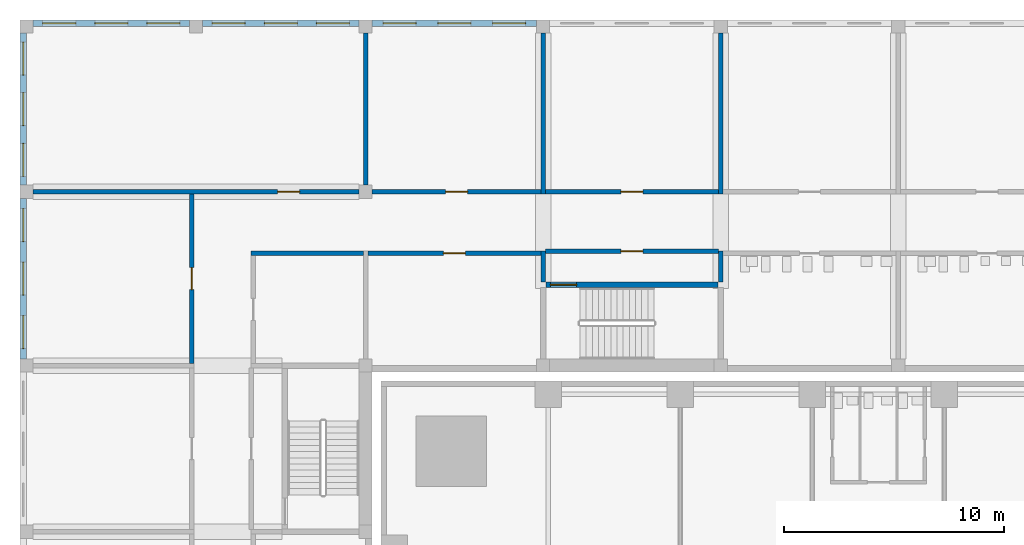
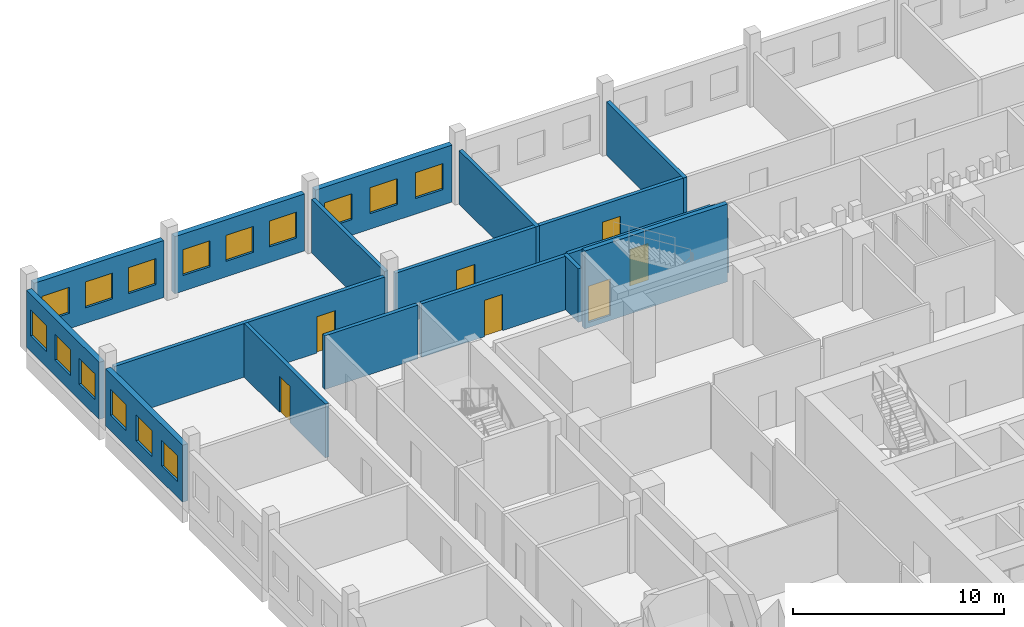
# One storey, part 16 of 25: 18 walls, 15 windows, 7 doors, 22 openings.
"""IFC4 building model written with IfcOpenShell, lengths in metres."""

import ifcopenshell
import ifcopenshell.guid

model = None  # the IFC model being written
_history = None  # IfcOwnerHistory: only IFC2X3 demands one
_inside = {}  # id of a spatial element -> (the spatial element, [elements in it])
_under = {}  # id of a project, library or spatial element -> (it, [spatial elements below it])
_declared = {}  # id of a project -> (the project, [libraries it declares])
_typed = {}  # id of a type object -> (the type object, [elements of that type])
_made_of = {}  # id of a material, layer set ... -> (it, [elements and type objects made of it])


def new_model(schema):
    """Start an empty IFC model of exactly this schema.

    Asked for "IFC4X3", IfcOpenShell would pick the latest addendum, in which some entities
    have other attributes; the version numbers below select the first issue.
    IFC2X3 requires an IfcOwnerHistory on every rooted entity: one is made here for all.
    """
    global model, _history
    if schema == "IFC4X3":
        model = ifcopenshell.file(schema_version=(4, 3, 0, 0))
    else:
        model = ifcopenshell.file(schema=schema)
    _inside.clear()
    _under.clear()
    _declared.clear()
    _typed.clear()
    _made_of.clear()
    _history = None
    if model.schema == "IFC2X3":
        org = make("IfcOrganization", Name="unknown")
        user = make(
            "IfcPersonAndOrganization",
            ThePerson=make("IfcPerson", FamilyName="unknown"),
            TheOrganization=org,
        )
        app = make(
            "IfcApplication",
            ApplicationDeveloper=org,
            Version="unknown",
            ApplicationFullName="unknown",
            ApplicationIdentifier="unknown",
        )
        _history = make(
            "IfcOwnerHistory",
            OwningUser=user,
            OwningApplication=app,
            ChangeAction="ADDED",
            CreationDate=0,
        )
    return model


def make(cls, **values):
    """One entity of the class cls with the attributes given. An attribute that is None is left unset."""
    return model.create_entity(
        cls, **{name: value for name, value in values.items() if value is not None}
    )


def rooted(cls, **values):
    """An entity with a GlobalId (a new one), such as an element, a storey or a relation."""
    return make(cls, GlobalId=ifcopenshell.guid.new(), OwnerHistory=_history, **values)


def si_unit(unit_type, name, prefix=None):
    """IfcSIUnit, for example si_unit("LENGTHUNIT", "METRE", prefix="MILLI")."""
    return make("IfcSIUnit", UnitType=unit_type, Prefix=prefix, Name=name)


def assignment(units):
    """IfcUnitAssignment: the units of a project."""
    return None if units is None else make("IfcUnitAssignment", Units=units)


def point(xyz):
    """IfcCartesianPoint."""
    return None if xyz is None else make("IfcCartesianPoint", Coordinates=xyz)


def direction(xyz):
    """IfcDirection."""
    return None if xyz is None else make("IfcDirection", DirectionRatios=xyz)


def frame(location, z_axis=None, x_axis=None):
    """IfcAxis2Placement3D, a coordinate frame: its origin and axes. An axis left out is left unset."""
    return make(
        "IfcAxis2Placement3D",
        Location=point(location),
        Axis=direction(z_axis),
        RefDirection=direction(x_axis),
    )


def frame_2d(location, x_axis=None):
    """IfcAxis2Placement2D, a coordinate frame in the plane: its origin and x axis."""
    return make(
        "IfcAxis2Placement2D", Location=point(location), RefDirection=direction(x_axis)
    )


def origin():
    """The frame at (0, 0, 0) with its axes left unset."""
    return frame((0.0, 0.0, 0.0))


def place(relative_to, where):
    """IfcLocalPlacement: puts the frame where relative to a parent placement (None: the world)."""
    return make(
        "IfcLocalPlacement", PlacementRelTo=relative_to, RelativePlacement=where
    )


def context(
    kind, dimensions, precision=None, world=None, true_north=None, identifier=None
):
    """IfcGeometricRepresentationContext, for example the 3D "Model" context."""
    return make(
        "IfcGeometricRepresentationContext",
        ContextIdentifier=identifier,
        ContextType=kind,
        CoordinateSpaceDimension=dimensions,
        Precision=precision,
        WorldCoordinateSystem=world,
        TrueNorth=true_north,
    )


def subcontext(parent, identifier, kind, view, scale=None):
    """IfcGeometricRepresentationSubContext, for example "Body" below "Model"."""
    return make(
        "IfcGeometricRepresentationSubContext",
        ContextIdentifier=identifier,
        ContextType=kind,
        ParentContext=parent,
        TargetScale=scale,
        TargetView=view,
    )


def project(units=None, contexts=None):
    """IfcProject with its units and contexts."""
    return rooted(
        "IfcProject",
        Name="project",
        RepresentationContexts=contexts,
        UnitsInContext=assignment(units),
    )


def spatial(cls, under=None, at=None, **own):
    """A site, building, storey or space (cls), placed at a placement, below another one or the project."""
    s = rooted(cls, ObjectPlacement=at, **own)
    if under is not None:
        _under.setdefault(under.id(), (under, []))[1].append(s)
    return s


def profile(cls, at=None, kind="AREA", **sizes):
    """A parametric profile (cls). Its sizes go by their IFC names, for example OverallWidth=200.0."""
    return make(cls, ProfileType=kind, Position=at, **sizes)


def rectangle(**sizes):
    """IfcRectangleProfileDef."""
    return profile("IfcRectangleProfileDef", **sizes)


def extrude(swept, where, along, depth):
    """IfcExtrudedAreaSolid: the profile swept, set in the frame where, extruded along a direction by depth."""
    return make(
        "IfcExtrudedAreaSolid",
        SweptArea=swept,
        Position=where,
        ExtrudedDirection=direction(along),
        Depth=depth,
    )


def shape(context_of_items, identifier, shape_type, items):
    """IfcShapeRepresentation: the items that make up one representation, for example the "Body"."""
    return make(
        "IfcShapeRepresentation",
        ContextOfItems=context_of_items,
        RepresentationIdentifier=identifier,
        RepresentationType=shape_type,
        Items=items,
    )


def material(Name=None, Category=None):
    """IfcMaterial."""
    return make("IfcMaterial", Name=Name, Category=Category)


def layer(
    of_material, thickness, ventilated=None, Name=None, Category=None, Priority=None
):
    """IfcMaterialLayer: one layer of a wall or slab, of a material (None: an air gap)."""
    return make(
        "IfcMaterialLayer",
        Material=of_material,
        LayerThickness=thickness,
        IsVentilated=ventilated,
        Name=Name,
        Category=Category,
        Priority=Priority,
    )


def layer_set(layers, Name=None):
    """IfcMaterialLayerSet."""
    return make("IfcMaterialLayerSet", MaterialLayers=layers, LayerSetName=Name)


def made_of(thing, what):
    """Note that an element or type object is made of a material, layer set ...; save() writes the relation."""
    if what is not None:
        _made_of.setdefault(what.id(), (what, []))[1].append(thing)
    return thing


def type_object(cls, material=None, **own):
    """A type object (cls), such as IfcWallType, which elements share."""
    return made_of(rooted(cls, **own), material)


def element(
    cls,
    number,
    at=None,
    inside=None,
    cuts=None,
    type_object=None,
    material=None,
    context=None,
    identifier="Body",
    shape_type=None,
    held_by="IfcProductDefinitionShape",
    body=None,
    shapes=None,
    **own,
):
    """One element of the class cls, such as IfcWall. Its Tag is "e" and its number.

    at: its placement. inside: the storey or other place that contains it. cuts: it is an
    opening in that element (IfcRelVoidsElement). A single representation is given by context,
    identifier, shape_type and body (its items); several are given by shapes. held_by: the class
    of the entity that holds the representations. save() writes the other relations.
    """
    e = rooted(cls, Tag="e%d" % number, ObjectPlacement=at, **own)
    if body is not None:
        shapes = [shape(context, identifier, shape_type, body)]
    if shapes is not None:
        e.Representation = make(held_by, Representations=shapes)
    if inside is not None:
        _inside.setdefault(inside.id(), (inside, []))[1].append(e)
    if cuts is not None:
        rooted(
            "IfcRelVoidsElement", RelatingBuildingElement=cuts, RelatedOpeningElement=e
        )
    if type_object is not None:
        _typed.setdefault(type_object.id(), (type_object, []))[1].append(e)
    return made_of(e, material)


def fill(opening, filler):
    """IfcRelFillsElement: the door or window that sits in an opening."""
    return rooted(
        "IfcRelFillsElement",
        RelatingOpeningElement=opening,
        RelatedBuildingElement=filler,
    )


def aggregate(whole, parts):
    """IfcRelAggregates: a whole, such as a stair, and the parts it consists of."""
    return rooted("IfcRelAggregates", RelatingObject=whole, RelatedObjects=parts)


def save(model, path):
    """Write the relations noted so far, then the file.

    IfcRelAggregates (storeys below a building ...), IfcRelContainedInSpatialStructure (elements
    in a storey), IfcRelDefinesByType, IfcRelAssociatesMaterial and IfcRelDeclares: one each for
    every whole, place, type object, material and project.
    """
    for whole, parts in _under.values():
        aggregate(whole, parts)
    for where, things in _inside.values():
        rooted(
            "IfcRelContainedInSpatialStructure",
            RelatedElements=things,
            RelatingStructure=where,
        )
    for kind, things in _typed.values():
        rooted("IfcRelDefinesByType", RelatedObjects=things, RelatingType=kind)
    for what, things in _made_of.values():
        rooted("IfcRelAssociatesMaterial", RelatedObjects=things, RelatingMaterial=what)
    for by, libraries in _declared.values():
        rooted("IfcRelDeclares", RelatingContext=by, RelatedDefinitions=libraries)
    model.write(path)


model = new_model("IFC4")

# Units and contexts
model_context = context("Model", 3, precision=1e-05, world=origin(), true_north=direction((0.0, 1.0)))
body_context = subcontext(model_context, "Body", "Model", "MODEL_VIEW")
ifc_project = project(units=[si_unit("LENGTHUNIT", "METRE"), si_unit("AREAUNIT", "SQUARE_METRE"), si_unit("VOLUMEUNIT", "CUBIC_METRE"), si_unit("PLANEANGLEUNIT", "RADIAN"), si_unit("MASSUNIT", "GRAM", prefix="KILO")], contexts=[model_context])

# Site, building, storey
site_placement = place(None, origin())
site = spatial("IfcSite", under=ifc_project, at=site_placement, CompositionType="ELEMENT")
building_placement = place(site_placement, origin())
building = spatial("IfcBuilding", under=site, at=building_placement, Name="Amberfall Residences", CompositionType="ELEMENT")
storey_placement = place(building_placement, frame((0.0, 0.0, 10.0)))
storey = spatial("IfcBuildingStorey", under=building, at=storey_placement, Name="L02", CompositionType="ELEMENT", Elevation=10.0)

# Wall, openings, windows
ifc_material_1 = material(Name="Aerated block wall")
ifc_layer_1 = layer(ifc_material_1, 0.300048828125)
ifc_layer_set_1 = layer_set([ifc_layer_1], Name="School external wall 300")
wall_type_1 = type_object("IfcWallType", Name="School external wall 300", PredefinedType="SOLIDWALL", material=ifc_layer_set_1)
wall_1_placement = place(storey_placement, frame((35.75, 69.0, 0.0), z_axis=(0.0, 0.0, 1.0), x_axis=(0.0, 1.0, 0.0)))
wall_1 = element("IfcWall", 1, at=wall_1_placement, inside=storey, type_object=wall_type_1, Name="School external wall L02 EW8", PredefinedType="SOLIDWALL", context=body_context, shape_type="SweptSolid", body=[
    extrude(rectangle(XDim=7.300048828125, YDim=0.300048828125, at=frame_2d((3.64990234375, 0.0))), origin(), (0.0, 0.0, 1.0), 3.300048828125),
])
opening_1_placement = place(wall_1_placement, frame((0.466796875, 0.0, 0.89990234375)))
opening_1 = element("IfcOpeningElement", 2, at=opening_1_placement, cuts=wall_1, Name="Opening SWN1", PredefinedType="OPENING", context=body_context, shape_type="SweptSolid", body=[
    extrude(rectangle(XDim=1.5, YDim=1.5, at=frame_2d((0.75, 0.75))), frame((0.0, 0.159912109375, 0.0), z_axis=(0.0, -1.0, 0.0), x_axis=(1.0, 0.0, 0.0)), (0.0, 0.0, 1.0), 0.320068359375),
])
opening_2_placement = place(wall_1_placement, frame((2.89990234375, 0.0, 0.89990234375)))
opening_2 = element("IfcOpeningElement", 3, at=opening_2_placement, cuts=wall_1, Name="Opening SWN1", PredefinedType="OPENING", context=body_context, shape_type="SweptSolid", body=[
    extrude(rectangle(XDim=1.5, YDim=1.5, at=frame_2d((0.75, 0.75))), frame((0.0, 0.159912109375, 0.0), z_axis=(0.0, -1.0, 0.0), x_axis=(1.0, 0.0, 0.0)), (0.0, 0.0, 1.0), 0.320068359375),
])
opening_3_placement = place(wall_1_placement, frame((5.333251953125, 0.0, 0.89990234375)))
opening_3 = element("IfcOpeningElement", 4, at=opening_3_placement, cuts=wall_1, Name="Opening SWN1", PredefinedType="OPENING", context=body_context, shape_type="SweptSolid", body=[
    extrude(rectangle(XDim=1.5, YDim=1.5, at=frame_2d((0.75, 0.75))), frame((0.0, 0.159912109375, 0.0), z_axis=(0.0, -1.0, 0.0), x_axis=(1.0, 0.0, 0.0)), (0.0, 0.0, 1.0), 0.320068359375),
])
ifc_material_2 = material(Name="Aluminium window", Category="aluminium")
window_type = type_object("IfcWindowType", Name="School window 1500 x 1500", PartitioningType="DOUBLE_PANEL_HORIZONTAL", PredefinedType="WINDOW", material=ifc_material_2)
window_1_placement = place(opening_1_placement, origin())
window_1 = element("IfcWindow", 5, at=window_1_placement, inside=storey, type_object=window_type, Name="School window L02 EW8-1", OverallHeight=1.5, OverallWidth=1.5, PartitioningType="DOUBLE_PANEL_HORIZONTAL", PredefinedType="WINDOW", context=body_context, shape_type="SweptSolid", body=[
    extrude(rectangle(XDim=1.5, YDim=1.5, at=frame_2d((0.75, 0.75))), frame((0.0, 0.030029296875, 0.0), z_axis=(0.0, -1.0, 0.0), x_axis=(1.0, 0.0, 0.0)), (0.0, 0.0, 1.0), 0.06005859375),
])
fill(opening_1, window_1)
window_2_placement = place(opening_2_placement, origin())
window_2 = element("IfcWindow", 6, at=window_2_placement, inside=storey, type_object=window_type, Name="School window L02 EW8-2", OverallHeight=1.5, OverallWidth=1.5, PartitioningType="DOUBLE_PANEL_HORIZONTAL", PredefinedType="WINDOW", context=body_context, shape_type="SweptSolid", body=[
    extrude(rectangle(XDim=1.5, YDim=1.5, at=frame_2d((0.75, 0.75))), frame((0.0, 0.030029296875, 0.0), z_axis=(0.0, -1.0, 0.0), x_axis=(1.0, 0.0, 0.0)), (0.0, 0.0, 1.0), 0.06005859375),
])
fill(opening_2, window_2)
window_3_placement = place(opening_3_placement, origin())
window_3 = element("IfcWindow", 7, at=window_3_placement, inside=storey, type_object=window_type, Name="School window L02 EW8-3", OverallHeight=1.5, OverallWidth=1.5, PartitioningType="DOUBLE_PANEL_HORIZONTAL", PredefinedType="WINDOW", context=body_context, shape_type="SweptSolid", body=[
    extrude(rectangle(XDim=1.5, YDim=1.5, at=frame_2d((0.75, 0.75))), frame((0.0, 0.030029296875, 0.0), z_axis=(0.0, -1.0, 0.0), x_axis=(1.0, 0.0, 0.0)), (0.0, 0.0, 1.0), 0.06005859375),
])
fill(opening_3, window_3)

wall_2_placement = place(storey_placement, frame((35.75, 76.89990234375, 0.0), z_axis=(0.0, 0.0, 1.0), x_axis=(0.0, 1.0, 0.0)))
wall_2 = element("IfcWall", 8, at=wall_2_placement, inside=storey, type_object=wall_type_1, Name="School external wall L02 EW9", PredefinedType="SOLIDWALL", context=body_context, shape_type="SweptSolid", body=[
    extrude(rectangle(XDim=6.900146484375, YDim=0.300048828125, at=frame_2d((3.4501953125, 0.0))), origin(), (0.0, 0.0, 1.0), 3.300048828125),
])
opening_4_placement = place(wall_2_placement, frame((0.39990234375, 0.0, 0.89990234375)))
opening_4 = element("IfcOpeningElement", 9, at=opening_4_placement, cuts=wall_2, Name="Opening SWN1", PredefinedType="OPENING", context=body_context, shape_type="SweptSolid", body=[
    extrude(rectangle(XDim=1.5, YDim=1.5, at=frame_2d((0.75, 0.75))), frame((0.0, 0.159912109375, 0.0), z_axis=(0.0, -1.0, 0.0), x_axis=(1.0, 0.0, 0.0)), (0.0, 0.0, 1.0), 0.320068359375),
])
opening_5_placement = place(wall_2_placement, frame((2.699951171875, 0.0, 0.89990234375)))
opening_5 = element("IfcOpeningElement", 10, at=opening_5_placement, cuts=wall_2, Name="Opening SWN1", PredefinedType="OPENING", context=body_context, shape_type="SweptSolid", body=[
    extrude(rectangle(XDim=1.5, YDim=1.5, at=frame_2d((0.75, 0.75))), frame((0.0, 0.159912109375, 0.0), z_axis=(0.0, -1.0, 0.0), x_axis=(1.0, 0.0, 0.0)), (0.0, 0.0, 1.0), 0.320068359375),
])
opening_6_placement = place(wall_2_placement, frame((5.0, 0.0, 0.89990234375)))
opening_6 = element("IfcOpeningElement", 11, at=opening_6_placement, cuts=wall_2, Name="Opening SWN1", PredefinedType="OPENING", context=body_context, shape_type="SweptSolid", body=[
    extrude(rectangle(XDim=1.5, YDim=1.5, at=frame_2d((0.75, 0.75))), frame((0.0, 0.159912109375, 0.0), z_axis=(0.0, -1.0, 0.0), x_axis=(1.0, 0.0, 0.0)), (0.0, 0.0, 1.0), 0.320068359375),
])
window_4_placement = place(opening_4_placement, origin())
window_4 = element("IfcWindow", 12, at=window_4_placement, inside=storey, type_object=window_type, Name="School window L02 EW9-1", OverallHeight=1.5, OverallWidth=1.5, PartitioningType="DOUBLE_PANEL_HORIZONTAL", PredefinedType="WINDOW", context=body_context, shape_type="SweptSolid", body=[
    extrude(rectangle(XDim=1.5, YDim=1.5, at=frame_2d((0.75, 0.75))), frame((0.0, 0.030029296875, 0.0), z_axis=(0.0, -1.0, 0.0), x_axis=(1.0, 0.0, 0.0)), (0.0, 0.0, 1.0), 0.06005859375),
])
fill(opening_4, window_4)
window_5_placement = place(opening_5_placement, origin())
window_5 = element("IfcWindow", 13, at=window_5_placement, inside=storey, type_object=window_type, Name="School window L02 EW9-2", OverallHeight=1.5, OverallWidth=1.5, PartitioningType="DOUBLE_PANEL_HORIZONTAL", PredefinedType="WINDOW", context=body_context, shape_type="SweptSolid", body=[
    extrude(rectangle(XDim=1.5, YDim=1.5, at=frame_2d((0.75, 0.75))), frame((0.0, 0.030029296875, 0.0), z_axis=(0.0, -1.0, 0.0), x_axis=(1.0, 0.0, 0.0)), (0.0, 0.0, 1.0), 0.06005859375),
])
fill(opening_5, window_5)
window_6_placement = place(opening_6_placement, origin())
window_6 = element("IfcWindow", 14, at=window_6_placement, inside=storey, type_object=window_type, Name="School window L02 EW9-3", OverallHeight=1.5, OverallWidth=1.5, PartitioningType="DOUBLE_PANEL_HORIZONTAL", PredefinedType="WINDOW", context=body_context, shape_type="SweptSolid", body=[
    extrude(rectangle(XDim=1.5, YDim=1.5, at=frame_2d((0.75, 0.75))), frame((0.0, 0.030029296875, 0.0), z_axis=(0.0, -1.0, 0.0), x_axis=(1.0, 0.0, 0.0)), (0.0, 0.0, 1.0), 0.06005859375),
])
fill(opening_6, window_6)

wall_3_placement = place(storey_placement, frame((36.199951171875, 84.25, 0.0), z_axis=(0.0, 0.0, 1.0), x_axis=(1.0, 0.0, 0.0)))
wall_3 = element("IfcWall", 15, at=wall_3_placement, inside=storey, type_object=wall_type_1, Name="School external wall L02 EN0", PredefinedType="SOLIDWALL", context=body_context, shape_type="SweptSolid", body=[
    extrude(rectangle(XDim=7.10009765625, YDim=0.300048828125, at=frame_2d((3.550048828125, 0.0))), origin(), (0.0, 0.0, 1.0), 3.300048828125),
])
opening_7_placement = place(wall_3_placement, frame((0.433349609375, 0.0, 0.89990234375)))
opening_7 = element("IfcOpeningElement", 16, at=opening_7_placement, cuts=wall_3, Name="Opening SWN1", PredefinedType="OPENING", context=body_context, shape_type="SweptSolid", body=[
    extrude(rectangle(XDim=1.5, YDim=1.5, at=frame_2d((0.75, 0.75))), frame((0.0, 0.159912109375, 0.0), z_axis=(0.0, -1.0, 0.0), x_axis=(1.0, 0.0, 0.0)), (0.0, 0.0, 1.0), 0.320068359375),
])
opening_8_placement = place(wall_3_placement, frame((2.800048828125, 0.0, 0.89990234375)))
opening_8 = element("IfcOpeningElement", 17, at=opening_8_placement, cuts=wall_3, Name="Opening SWN1", PredefinedType="OPENING", context=body_context, shape_type="SweptSolid", body=[
    extrude(rectangle(XDim=1.5, YDim=1.5, at=frame_2d((0.75, 0.75))), frame((0.0, 0.159912109375, 0.0), z_axis=(0.0, -1.0, 0.0), x_axis=(1.0, 0.0, 0.0)), (0.0, 0.0, 1.0), 0.320068359375),
])
opening_9_placement = place(wall_3_placement, frame((5.166748046875, 0.0, 0.89990234375)))
opening_9 = element("IfcOpeningElement", 18, at=opening_9_placement, cuts=wall_3, Name="Opening SWN1", PredefinedType="OPENING", context=body_context, shape_type="SweptSolid", body=[
    extrude(rectangle(XDim=1.5, YDim=1.5, at=frame_2d((0.75, 0.75))), frame((0.0, 0.159912109375, 0.0), z_axis=(0.0, -1.0, 0.0), x_axis=(1.0, 0.0, 0.0)), (0.0, 0.0, 1.0), 0.320068359375),
])
window_7_placement = place(opening_7_placement, origin())
window_7 = element("IfcWindow", 19, at=window_7_placement, inside=storey, type_object=window_type, Name="School window L02 EN0-1", OverallHeight=1.5, OverallWidth=1.5, PartitioningType="DOUBLE_PANEL_HORIZONTAL", PredefinedType="WINDOW", context=body_context, shape_type="SweptSolid", body=[
    extrude(rectangle(XDim=1.5, YDim=1.5, at=frame_2d((0.75, 0.75))), frame((0.0, 0.030029296875, 0.0), z_axis=(0.0, -1.0, 0.0), x_axis=(1.0, 0.0, 0.0)), (0.0, 0.0, 1.0), 0.06005859375),
])
fill(opening_7, window_7)
window_8_placement = place(opening_8_placement, origin())
window_8 = element("IfcWindow", 20, at=window_8_placement, inside=storey, type_object=window_type, Name="School window L02 EN0-2", OverallHeight=1.5, OverallWidth=1.5, PartitioningType="DOUBLE_PANEL_HORIZONTAL", PredefinedType="WINDOW", context=body_context, shape_type="SweptSolid", body=[
    extrude(rectangle(XDim=1.5, YDim=1.5, at=frame_2d((0.75, 0.75))), frame((0.0, 0.030029296875, 0.0), z_axis=(0.0, -1.0, 0.0), x_axis=(1.0, 0.0, 0.0)), (0.0, 0.0, 1.0), 0.06005859375),
])
fill(opening_8, window_8)
window_9_placement = place(opening_9_placement, origin())
window_9 = element("IfcWindow", 21, at=window_9_placement, inside=storey, type_object=window_type, Name="School window L02 EN0-3", OverallHeight=1.5, OverallWidth=1.5, PartitioningType="DOUBLE_PANEL_HORIZONTAL", PredefinedType="WINDOW", context=body_context, shape_type="SweptSolid", body=[
    extrude(rectangle(XDim=1.5, YDim=1.5, at=frame_2d((0.75, 0.75))), frame((0.0, 0.030029296875, 0.0), z_axis=(0.0, -1.0, 0.0), x_axis=(1.0, 0.0, 0.0)), (0.0, 0.0, 1.0), 0.06005859375),
])
fill(opening_9, window_9)

wall_4_placement = place(storey_placement, frame((43.89990234375, 84.25, 0.0), z_axis=(0.0, 0.0, 1.0), x_axis=(1.0, 0.0, 0.0)))
wall_4 = element("IfcWall", 22, at=wall_4_placement, inside=storey, type_object=wall_type_1, Name="School external wall L02 EN1", PredefinedType="SOLIDWALL", context=body_context, shape_type="SweptSolid", body=[
    extrude(rectangle(XDim=7.10009765625, YDim=0.300048828125, at=frame_2d((3.550048828125, 0.0))), origin(), (0.0, 0.0, 1.0), 3.300048828125),
])
opening_10_placement = place(wall_4_placement, frame((0.433349609375, 0.0, 0.89990234375)))
opening_10 = element("IfcOpeningElement", 23, at=opening_10_placement, cuts=wall_4, Name="Opening SWN1", PredefinedType="OPENING", context=body_context, shape_type="SweptSolid", body=[
    extrude(rectangle(XDim=1.5, YDim=1.5, at=frame_2d((0.75, 0.75))), frame((0.0, 0.159912109375, 0.0), z_axis=(0.0, -1.0, 0.0), x_axis=(1.0, 0.0, 0.0)), (0.0, 0.0, 1.0), 0.320068359375),
])
opening_11_placement = place(wall_4_placement, frame((2.800048828125, 0.0, 0.89990234375)))
opening_11 = element("IfcOpeningElement", 24, at=opening_11_placement, cuts=wall_4, Name="Opening SWN1", PredefinedType="OPENING", context=body_context, shape_type="SweptSolid", body=[
    extrude(rectangle(XDim=1.5, YDim=1.5, at=frame_2d((0.75, 0.75))), frame((0.0, 0.159912109375, 0.0), z_axis=(0.0, -1.0, 0.0), x_axis=(1.0, 0.0, 0.0)), (0.0, 0.0, 1.0), 0.320068359375),
])
opening_12_placement = place(wall_4_placement, frame((5.166748046875, 0.0, 0.89990234375)))
opening_12 = element("IfcOpeningElement", 25, at=opening_12_placement, cuts=wall_4, Name="Opening SWN1", PredefinedType="OPENING", context=body_context, shape_type="SweptSolid", body=[
    extrude(rectangle(XDim=1.5, YDim=1.5, at=frame_2d((0.75, 0.75))), frame((0.0, 0.159912109375, 0.0), z_axis=(0.0, -1.0, 0.0), x_axis=(1.0, 0.0, 0.0)), (0.0, 0.0, 1.0), 0.320068359375),
])
window_10_placement = place(opening_10_placement, origin())
window_10 = element("IfcWindow", 26, at=window_10_placement, inside=storey, type_object=window_type, Name="School window L02 EN1-1", OverallHeight=1.5, OverallWidth=1.5, PartitioningType="DOUBLE_PANEL_HORIZONTAL", PredefinedType="WINDOW", context=body_context, shape_type="SweptSolid", body=[
    extrude(rectangle(XDim=1.5, YDim=1.5, at=frame_2d((0.75, 0.75))), frame((0.0, 0.030029296875, 0.0), z_axis=(0.0, -1.0, 0.0), x_axis=(1.0, 0.0, 0.0)), (0.0, 0.0, 1.0), 0.06005859375),
])
fill(opening_10, window_10)
window_11_placement = place(opening_11_placement, origin())
window_11 = element("IfcWindow", 27, at=window_11_placement, inside=storey, type_object=window_type, Name="School window L02 EN1-2", OverallHeight=1.5, OverallWidth=1.5, PartitioningType="DOUBLE_PANEL_HORIZONTAL", PredefinedType="WINDOW", context=body_context, shape_type="SweptSolid", body=[
    extrude(rectangle(XDim=1.5, YDim=1.5, at=frame_2d((0.75, 0.75))), frame((0.0, 0.030029296875, 0.0), z_axis=(0.0, -1.0, 0.0), x_axis=(1.0, 0.0, 0.0)), (0.0, 0.0, 1.0), 0.06005859375),
])
fill(opening_11, window_11)
window_12_placement = place(opening_12_placement, origin())
window_12 = element("IfcWindow", 28, at=window_12_placement, inside=storey, type_object=window_type, Name="School window L02 EN1-3", OverallHeight=1.5, OverallWidth=1.5, PartitioningType="DOUBLE_PANEL_HORIZONTAL", PredefinedType="WINDOW", context=body_context, shape_type="SweptSolid", body=[
    extrude(rectangle(XDim=1.5, YDim=1.5, at=frame_2d((0.75, 0.75))), frame((0.0, 0.030029296875, 0.0), z_axis=(0.0, -1.0, 0.0), x_axis=(1.0, 0.0, 0.0)), (0.0, 0.0, 1.0), 0.06005859375),
])
fill(opening_12, window_12)

wall_5_placement = place(storey_placement, frame((51.60009765625, 84.25, 0.0), z_axis=(0.0, 0.0, 1.0), x_axis=(1.0, 0.0, 0.0)))
wall_5 = element("IfcWall", 29, at=wall_5_placement, inside=storey, type_object=wall_type_1, Name="School external wall L02 EN2", PredefinedType="SOLIDWALL", context=body_context, shape_type="SweptSolid", body=[
    extrude(rectangle(XDim=7.466796875, YDim=0.300048828125, at=frame_2d((3.7333984375, 0.0))), origin(), (0.0, 0.0, 1.0), 3.300048828125),
])
opening_13_placement = place(wall_5_placement, frame((0.494384765625, 0.0, 0.89990234375)))
opening_13 = element("IfcOpeningElement", 30, at=opening_13_placement, cuts=wall_5, Name="Opening SWN1", PredefinedType="OPENING", context=body_context, shape_type="SweptSolid", body=[
    extrude(rectangle(XDim=1.5, YDim=1.5, at=frame_2d((0.75, 0.75))), frame((0.0, 0.159912109375, 0.0), z_axis=(0.0, -1.0, 0.0), x_axis=(1.0, 0.0, 0.0)), (0.0, 0.0, 1.0), 0.320068359375),
])
opening_14_placement = place(wall_5_placement, frame((2.9833984375, 0.0, 0.89990234375)))
opening_14 = element("IfcOpeningElement", 31, at=opening_14_placement, cuts=wall_5, Name="Opening SWN1", PredefinedType="OPENING", context=body_context, shape_type="SweptSolid", body=[
    extrude(rectangle(XDim=1.5, YDim=1.5, at=frame_2d((0.75, 0.75))), frame((0.0, 0.159912109375, 0.0), z_axis=(0.0, -1.0, 0.0), x_axis=(1.0, 0.0, 0.0)), (0.0, 0.0, 1.0), 0.320068359375),
])
opening_15_placement = place(wall_5_placement, frame((5.472412109375, 0.0, 0.89990234375)))
opening_15 = element("IfcOpeningElement", 32, at=opening_15_placement, cuts=wall_5, Name="Opening SWN1", PredefinedType="OPENING", context=body_context, shape_type="SweptSolid", body=[
    extrude(rectangle(XDim=1.5, YDim=1.5, at=frame_2d((0.75, 0.75))), frame((0.0, 0.159912109375, 0.0), z_axis=(0.0, -1.0, 0.0), x_axis=(1.0, 0.0, 0.0)), (0.0, 0.0, 1.0), 0.320068359375),
])
window_13_placement = place(opening_13_placement, origin())
window_13 = element("IfcWindow", 33, at=window_13_placement, inside=storey, type_object=window_type, Name="School window L02 EN2-1", OverallHeight=1.5, OverallWidth=1.5, PartitioningType="DOUBLE_PANEL_HORIZONTAL", PredefinedType="WINDOW", context=body_context, shape_type="SweptSolid", body=[
    extrude(rectangle(XDim=1.5, YDim=1.5, at=frame_2d((0.75, 0.75))), frame((0.0, 0.030029296875, 0.0), z_axis=(0.0, -1.0, 0.0), x_axis=(1.0, 0.0, 0.0)), (0.0, 0.0, 1.0), 0.06005859375),
])
fill(opening_13, window_13)
window_14_placement = place(opening_14_placement, origin())
window_14 = element("IfcWindow", 34, at=window_14_placement, inside=storey, type_object=window_type, Name="School window L02 EN2-2", OverallHeight=1.5, OverallWidth=1.5, PartitioningType="DOUBLE_PANEL_HORIZONTAL", PredefinedType="WINDOW", context=body_context, shape_type="SweptSolid", body=[
    extrude(rectangle(XDim=1.5, YDim=1.5, at=frame_2d((0.75, 0.75))), frame((0.0, 0.030029296875, 0.0), z_axis=(0.0, -1.0, 0.0), x_axis=(1.0, 0.0, 0.0)), (0.0, 0.0, 1.0), 0.06005859375),
])
fill(opening_14, window_14)
window_15_placement = place(opening_15_placement, origin())
window_15 = element("IfcWindow", 35, at=window_15_placement, inside=storey, type_object=window_type, Name="School window L02 EN2-3", OverallHeight=1.5, OverallWidth=1.5, PartitioningType="DOUBLE_PANEL_HORIZONTAL", PredefinedType="WINDOW", context=body_context, shape_type="SweptSolid", body=[
    extrude(rectangle(XDim=1.5, YDim=1.5, at=frame_2d((0.75, 0.75))), frame((0.0, 0.030029296875, 0.0), z_axis=(0.0, -1.0, 0.0), x_axis=(1.0, 0.0, 0.0)), (0.0, 0.0, 1.0), 0.06005859375),
])
fill(opening_15, window_15)

# Wall, opening, door
ifc_layer_2 = layer(ifc_material_1, 0.199951171875)
ifc_layer_set_2 = layer_set([ifc_layer_2], Name="School partition 200")
wall_type_2 = type_object("IfcWallType", Name="School partition 200", PredefinedType="PARTITIONING", material=ifc_layer_set_2)
wall_6_placement = place(storey_placement, frame((43.39990234375, 68.800048828125, 0.0), z_axis=(0.0, 0.0, 1.0), x_axis=(0.0, 1.0, 0.0)))
wall_6 = element("IfcWall", 36, at=wall_6_placement, inside=storey, type_object=wall_type_2, Name="School partition L02 CWW8", PredefinedType="PARTITIONING", context=body_context, shape_type="SweptSolid", body=[
    extrude(rectangle(XDim=7.699951171875, YDim=0.199951171875, at=frame_2d((3.85009765625, 0.0))), origin(), (0.0, 0.0, 1.0), 3.10009765625),
])
opening_16_placement = place(wall_6_placement, frame((3.35009765625, 0.0, 0.0)))
opening_16 = element("IfcOpeningElement", 37, at=opening_16_placement, cuts=wall_6, Name="Opening SD5", PredefinedType="OPENING", context=body_context, shape_type="SweptSolid", body=[
    extrude(rectangle(XDim=1.0, YDim=2.10009765625, at=frame_2d((0.5, 1.050048828125))), frame((0.0, 0.10986328125, 0.0), z_axis=(0.0, -1.0, 0.0), x_axis=(1.0, 0.0, 0.0)), (0.0, 0.0, 1.0), 0.219970703125),
])
ifc_material_3 = material(Name="Timber door", Category="wood")
door_type_1 = type_object("IfcDoorType", Name="School classroom door 1000 x 2100", OperationType="SINGLE_SWING_LEFT", PredefinedType="DOOR", material=ifc_material_3)
door_1_placement = place(opening_16_placement, origin())
door_1 = element("IfcDoor", 38, at=door_1_placement, inside=storey, type_object=door_type_1, Name="School door L02 CWW8-1", OperationType="SINGLE_SWING_LEFT", OverallHeight=2.10009765625, OverallWidth=1.0, PredefinedType="DOOR", context=body_context, shape_type="SweptSolid", body=[
    extrude(rectangle(XDim=1.0, YDim=2.10009765625, at=frame_2d((0.5, 1.050048828125))), frame((0.0, 0.02490234375, 0.0), z_axis=(0.0, -1.0, 0.0), x_axis=(1.0, 0.0, 0.0)), (0.0, 0.0, 1.0), 0.050048828125),
])
fill(opening_16, door_1)

wall_7_placement = place(storey_placement, frame((36.199951171875, 76.60009765625, 0.0), z_axis=(0.0, 0.0, 1.0), x_axis=(1.0, 0.0, 0.0)))
wall_7 = element("IfcWall", 39, at=wall_7_placement, inside=storey, type_object=wall_type_2, Name="School partition L02 LIBS", PredefinedType="PARTITIONING", context=body_context, shape_type="SweptSolid", body=[
    extrude(rectangle(XDim=14.800048828125, YDim=0.199951171875, at=frame_2d((7.39990234375, 0.0))), origin(), (0.0, 0.0, 1.0), 3.10009765625),
])
opening_17_placement = place(wall_7_placement, frame((11.10009765625, 0.0, 0.0)))
opening_17 = element("IfcOpeningElement", 40, at=opening_17_placement, cuts=wall_7, Name="Opening SD5", PredefinedType="OPENING", context=body_context, shape_type="SweptSolid", body=[
    extrude(rectangle(XDim=1.0, YDim=2.10009765625, at=frame_2d((0.5, 1.050048828125))), frame((0.0, 0.10986328125, 0.0), z_axis=(0.0, -1.0, 0.0), x_axis=(1.0, 0.0, 0.0)), (0.0, 0.0, 1.0), 0.219970703125),
])
door_2_placement = place(opening_17_placement, origin())
door_2 = element("IfcDoor", 41, at=door_2_placement, inside=storey, type_object=door_type_1, Name="School door L02 LIBS-1", OperationType="SINGLE_SWING_LEFT", OverallHeight=2.10009765625, OverallWidth=1.0, PredefinedType="DOOR", context=body_context, shape_type="SweptSolid", body=[
    extrude(rectangle(XDim=1.0, YDim=2.10009765625, at=frame_2d((0.5, 1.050048828125))), frame((0.0, 0.02490234375, 0.0), z_axis=(0.0, -1.0, 0.0), x_axis=(1.0, 0.0, 0.0)), (0.0, 0.0, 1.0), 0.050048828125),
])
fill(opening_17, door_2)

# Wall
wall_8_placement = place(storey_placement, frame((51.300048828125, 76.89990234375, 0.0), z_axis=(0.0, 0.0, 1.0), x_axis=(0.0, 1.0, 0.0)))
element("IfcWall", 42, at=wall_8_placement, inside=storey, type_object=wall_type_2, Name="School partition L02 LIBE", PredefinedType="PARTITIONING", context=body_context, shape_type="SweptSolid", body=[
    extrude(rectangle(XDim=6.900146484375, YDim=0.199951171875, at=frame_2d((3.4501953125, 0.0))), origin(), (0.0, 0.0, 1.0), 3.10009765625),
])

# Wall, opening, door
wall_9_placement = place(storey_placement, frame((51.60009765625, 76.60009765625, 0.0), z_axis=(0.0, 0.0, 1.0), x_axis=(1.0, 0.0, 0.0)))
wall_9 = element("IfcWall", 43, at=wall_9_placement, inside=storey, type_object=wall_type_2, Name="School partition L02 CWN052", PredefinedType="PARTITIONING", context=body_context, shape_type="SweptSolid", body=[
    extrude(rectangle(XDim=7.6669921875, YDim=0.199951171875, at=frame_2d((3.83349609375, 0.0))), origin(), (0.0, 0.0, 1.0), 3.10009765625),
])
opening_18_placement = place(wall_9_placement, frame((3.33349609375, 0.0, 0.0)))
opening_18 = element("IfcOpeningElement", 44, at=opening_18_placement, cuts=wall_9, Name="Opening SD5", PredefinedType="OPENING", context=body_context, shape_type="SweptSolid", body=[
    extrude(rectangle(XDim=1.0, YDim=2.10009765625, at=frame_2d((0.5, 1.050048828125))), frame((0.0, 0.10986328125, 0.0), z_axis=(0.0, -1.0, 0.0), x_axis=(1.0, 0.0, 0.0)), (0.0, 0.0, 1.0), 0.219970703125),
])
door_3_placement = place(opening_18_placement, origin())
door_3 = element("IfcDoor", 45, at=door_3_placement, inside=storey, type_object=door_type_1, Name="School door L02 CWN052-1", OperationType="SINGLE_SWING_LEFT", OverallHeight=2.10009765625, OverallWidth=1.0, PredefinedType="DOOR", context=body_context, shape_type="SweptSolid", body=[
    extrude(rectangle(XDim=1.0, YDim=2.10009765625, at=frame_2d((0.5, 1.050048828125))), frame((0.0, 0.02490234375, 0.0), z_axis=(0.0, -1.0, 0.0), x_axis=(1.0, 0.0, 0.0)), (0.0, 0.0, 1.0), 0.050048828125),
])
fill(opening_18, door_3)

wall_10_placement = place(storey_placement, frame((59.467041015625, 76.60009765625, 0.0), z_axis=(0.0, 0.0, 1.0), x_axis=(1.0, 0.0, 0.0)))
wall_10 = element("IfcWall", 46, at=wall_10_placement, inside=storey, type_object=wall_type_2, Name="School partition L02 CWN159", PredefinedType="PARTITIONING", context=body_context, shape_type="SweptSolid", body=[
    extrude(rectangle(XDim=7.865966796875, YDim=0.199951171875, at=frame_2d((3.93310546875, 0.0))), origin(), (0.0, 0.0, 1.0), 3.10009765625),
])
opening_19_placement = place(wall_10_placement, frame((3.43310546875, 0.0, 0.0)))
opening_19 = element("IfcOpeningElement", 47, at=opening_19_placement, cuts=wall_10, Name="Opening SD5", PredefinedType="OPENING", context=body_context, shape_type="SweptSolid", body=[
    extrude(rectangle(XDim=1.0, YDim=2.10009765625, at=frame_2d((0.5, 1.050048828125))), frame((0.0, 0.10986328125, 0.0), z_axis=(0.0, -1.0, 0.0), x_axis=(1.0, 0.0, 0.0)), (0.0, 0.0, 1.0), 0.219970703125),
])
door_4_placement = place(opening_19_placement, origin())
door_4 = element("IfcDoor", 48, at=door_4_placement, inside=storey, type_object=door_type_1, Name="School door L02 CWN159-1", OperationType="SINGLE_SWING_LEFT", OverallHeight=2.10009765625, OverallWidth=1.0, PredefinedType="DOOR", context=body_context, shape_type="SweptSolid", body=[
    extrude(rectangle(XDim=1.0, YDim=2.10009765625, at=frame_2d((0.5, 1.050048828125))), frame((0.0, 0.02490234375, 0.0), z_axis=(0.0, -1.0, 0.0), x_axis=(1.0, 0.0, 0.0)), (0.0, 0.0, 1.0), 0.050048828125),
])
fill(opening_19, door_4)

# Walls
for number, where, z_axis, x_axis, name in (
    (49, (59.366943359375, 76.5, 0.0), (0.0, 0.0, 1.0), (0.0, 1.0, 0.0), "School partition L02 PN5937"),
    (50, (67.43310546875, 76.5, 0.0), (0.0, 0.0, 1.0), (0.0, 1.0, 0.0), "School partition L02 PN6743"),
):
    element("IfcWall", number, at=place(storey_placement, frame(where, z_axis=z_axis, x_axis=x_axis)), inside=storey, type_object=wall_type_2, Name=name, PredefinedType="PARTITIONING", context=body_context, shape_type="SweptSolid", body=[
        extrude(rectangle(XDim=7.300048828125, YDim=0.199951171875, at=frame_2d((3.64990234375, 0.0))), origin(), (0.0, 0.0, 1.0), 3.10009765625),
    ])

# Wall, opening, door
wall_11_placement = place(storey_placement, frame((51.39990234375, 73.800048828125, 0.0), z_axis=(0.0, 0.0, 1.0), x_axis=(1.0, 0.0, 0.0)))
wall_11 = element("IfcWall", 51, at=wall_11_placement, inside=storey, type_object=wall_type_2, Name="School partition L02 CWS51", PredefinedType="PARTITIONING", context=body_context, shape_type="SweptSolid", body=[
    extrude(rectangle(XDim=7.8671875, YDim=0.199951171875, at=frame_2d((3.93359375, 0.0))), origin(), (0.0, 0.0, 1.0), 3.10009765625),
])
opening_20_placement = place(wall_11_placement, frame((3.43359375, 0.0, 0.0)))
opening_20 = element("IfcOpeningElement", 52, at=opening_20_placement, cuts=wall_11, Name="Opening SD5", PredefinedType="OPENING", context=body_context, shape_type="SweptSolid", body=[
    extrude(rectangle(XDim=1.0, YDim=2.10009765625, at=frame_2d((0.5, 1.050048828125))), frame((0.0, 0.10986328125, 0.0), z_axis=(0.0, -1.0, 0.0), x_axis=(1.0, 0.0, 0.0)), (0.0, 0.0, 1.0), 0.219970703125),
])
door_5_placement = place(opening_20_placement, origin())
door_5 = element("IfcDoor", 53, at=door_5_placement, inside=storey, type_object=door_type_1, Name="School door L02 CWS51-1", OperationType="SINGLE_SWING_LEFT", OverallHeight=2.10009765625, OverallWidth=1.0, PredefinedType="DOOR", context=body_context, shape_type="SweptSolid", body=[
    extrude(rectangle(XDim=1.0, YDim=2.10009765625, at=frame_2d((0.5, 1.050048828125))), frame((0.0, 0.02490234375, 0.0), z_axis=(0.0, -1.0, 0.0), x_axis=(1.0, 0.0, 0.0)), (0.0, 0.0, 1.0), 0.050048828125),
])
fill(opening_20, door_5)

# Walls
for number, where, z_axis, x_axis, name in (
    (54, (59.366943359375, 72.5, 0.0), (0.0, 0.0, 1.0), (0.0, 1.0, 0.0), "School partition L02 PSA1"),
    (55, (67.43310546875, 72.5, 0.0), (0.0, 0.0, 1.0), (0.0, 1.0, 0.0), "School partition L02 PSA2"),
):
    element("IfcWall", number, at=place(storey_placement, frame(where, z_axis=z_axis, x_axis=x_axis)), inside=storey, type_object=wall_type_2, Name=name, PredefinedType="PARTITIONING", context=body_context, shape_type="SweptSolid", body=[
        extrude(rectangle(XDim=1.39990234375, YDim=0.199951171875, at=frame_2d((0.699951171875, 0.0))), origin(), (0.0, 0.0, 1.0), 3.10009765625),
    ])
wall_12_placement = place(storey_placement, frame((46.10009765625, 73.800048828125, 0.0), z_axis=(0.0, 0.0, 1.0), x_axis=(1.0, 0.0, 0.0)))
element("IfcWall", 56, at=wall_12_placement, inside=storey, type_object=wall_type_2, Name="School partition L02 E8N", PredefinedType="PARTITIONING", context=body_context, shape_type="SweptSolid", body=[
    extrude(rectangle(XDim=5.099853515625, YDim=0.199951171875, at=frame_2d((2.5498046875, 0.0))), origin(), (0.0, 0.0, 1.0), 3.10009765625),
])

# Wall, opening, door
wall_13_placement = place(storey_placement, frame((59.467041015625, 73.89990234375, 0.0), z_axis=(0.0, 0.0, 1.0), x_axis=(1.0, 0.0, 0.0)))
wall_13 = element("IfcWall", 57, at=wall_13_placement, inside=storey, type_object=wall_type_2, Name="School partition L02 CWLSS4", PredefinedType="PARTITIONING", context=body_context, shape_type="SweptSolid", body=[
    extrude(rectangle(XDim=7.865966796875, YDim=0.199951171875, at=frame_2d((3.93310546875, 0.0))), origin(), (0.0, 0.0, 1.0), 3.10009765625),
])
opening_21_placement = place(wall_13_placement, frame((3.43310546875, 0.0, 0.0)))
opening_21 = element("IfcOpeningElement", 58, at=opening_21_placement, cuts=wall_13, Name="Opening SD8", PredefinedType="OPENING", context=body_context, shape_type="SweptSolid", body=[
    extrude(rectangle(XDim=1.0, YDim=2.10009765625, at=frame_2d((0.5, 1.050048828125))), frame((0.0, 0.10986328125, 0.0), z_axis=(0.0, -1.0, 0.0), x_axis=(1.0, 0.0, 0.0)), (0.0, 0.0, 1.0), 0.219970703125),
])
door_type_2 = type_object("IfcDoorType", Name="School lobby door 1000 x 2100", OperationType="SINGLE_SWING_LEFT", PredefinedType="DOOR", material=ifc_material_3)
door_6_placement = place(opening_21_placement, origin())
door_6 = element("IfcDoor", 59, at=door_6_placement, inside=storey, type_object=door_type_2, Name="School door L02 CWLSS4-1", OperationType="SINGLE_SWING_LEFT", OverallHeight=2.10009765625, OverallWidth=1.0, PredefinedType="DOOR", context=body_context, shape_type="SweptSolid", body=[
    extrude(rectangle(XDim=1.0, YDim=2.10009765625, at=frame_2d((0.5, 1.050048828125))), frame((0.0, 0.02490234375, 0.0), z_axis=(0.0, -1.0, 0.0), x_axis=(1.0, 0.0, 0.0)), (0.0, 0.0, 1.0), 0.050048828125),
])
fill(opening_21, door_6)

ifc_material_4 = material(Name="Concrete C50", Category="concrete")
ifc_layer_3 = layer(ifc_material_4, 0.25)
ifc_layer_set_3 = layer_set([ifc_layer_3], Name="School stair core wall 250 C50")
wall_type_3 = type_object("IfcWallType", Name="School stair core wall 250 C50", PredefinedType="SHEAR", material=ifc_layer_set_3)
wall_14_placement = place(storey_placement, frame((59.491943359375, 72.375, -0.300048828125), z_axis=(0.0, 0.0, 1.0), x_axis=(1.0, 0.0, 0.0)))
wall_14 = element("IfcWall", 60, at=wall_14_placement, inside=storey, type_object=wall_type_3, Name="School core wall L02 SS4N", PredefinedType="SHEAR", context=body_context, shape_type="SweptSolid", body=[
    extrude(rectangle(XDim=7.816162109375, YDim=0.25, at=frame_2d((3.908203125, 0.0))), origin(), (0.0, 0.0, 1.0), 4.5),
])
opening_22_placement = place(wall_14_placement, frame((0.199951171875, 0.0, 0.300048828125)))
opening_22 = element("IfcOpeningElement", 61, at=opening_22_placement, cuts=wall_14, Name="Opening SD4", PredefinedType="OPENING", context=body_context, shape_type="SweptSolid", body=[
    extrude(rectangle(XDim=1.199951171875, YDim=2.10009765625, at=frame_2d((0.60009765625, 1.050048828125))), frame((0.0, 0.135009765625, 0.0), z_axis=(0.0, -1.0, 0.0), x_axis=(1.0, 0.0, 0.0)), (0.0, 0.0, 1.0), 0.27001953125),
])
ifc_material_5 = material(Name="Steel fire door", Category="steel")
door_type_3 = type_object("IfcDoorType", Name="School stair door 1200 x 2100 FD120", OperationType="SINGLE_SWING_LEFT", PredefinedType="DOOR", material=ifc_material_5)
door_7_placement = place(opening_22_placement, origin())
door_7 = element("IfcDoor", 62, at=door_7_placement, inside=storey, type_object=door_type_3, Name="School stair door L02 SS4", OperationType="SINGLE_SWING_LEFT", OverallHeight=2.10009765625, OverallWidth=1.199951171875, PredefinedType="DOOR", context=body_context, shape_type="SweptSolid", body=[
    extrude(rectangle(XDim=1.199951171875, YDim=2.10009765625, at=frame_2d((0.60009765625, 1.050048828125))), frame((0.0, 0.02490234375, 0.0), z_axis=(0.0, -1.0, 0.0), x_axis=(1.0, 0.0, 0.0)), (0.0, 0.0, 1.0), 0.050048828125),
])
fill(opening_22, door_7)

save(model, "model.ifc")
